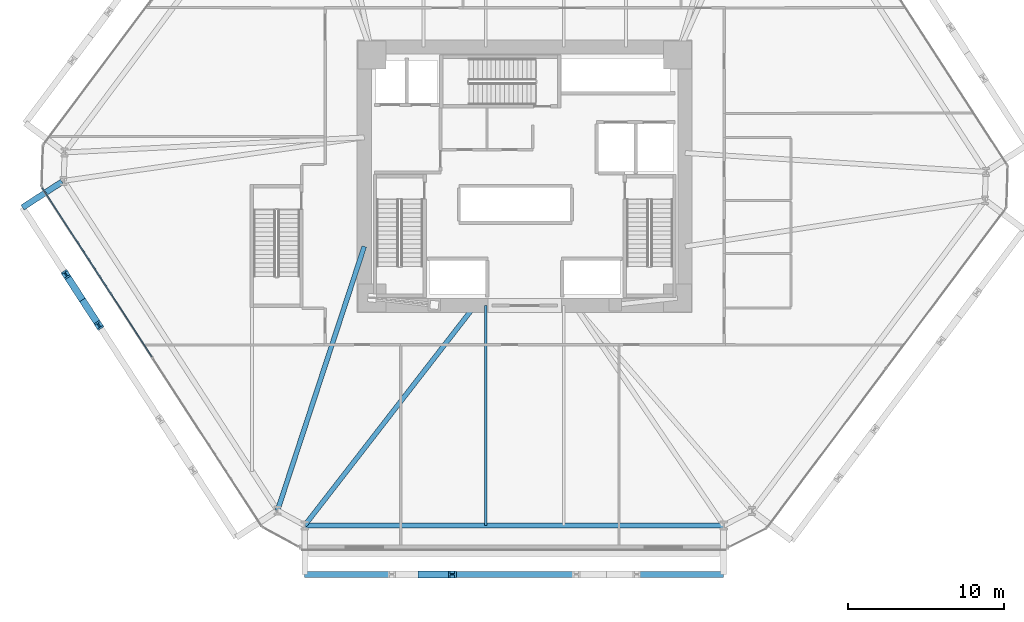
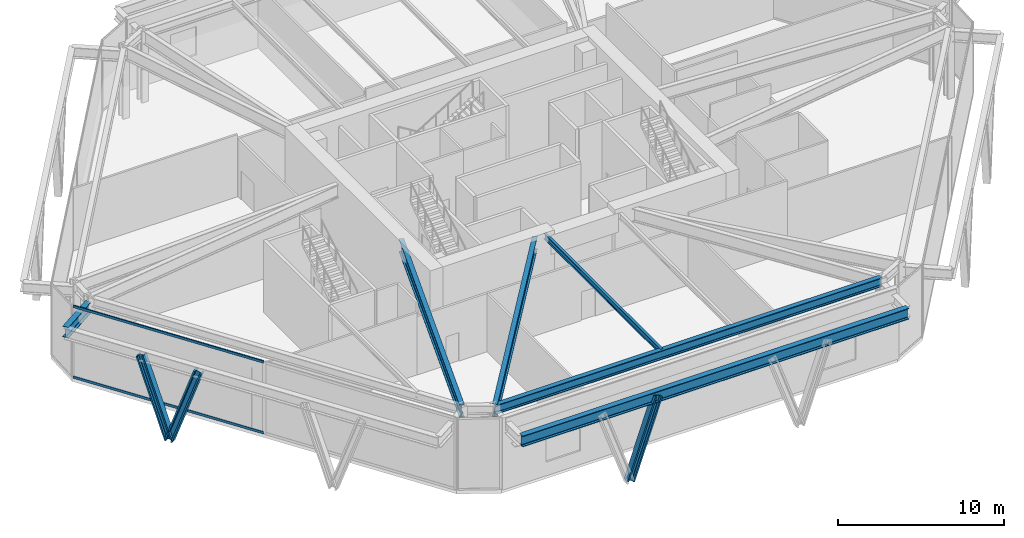
# One storey, part 3 of 19: 6 beams, 5 members, 1 element without a shape of its own.
"""IFC4 building model written with IfcOpenShell, lengths in metres."""

from ifc_helpers import new_model, si_unit, direction, frame, origin, origin_2d, place, context, subcontext, project, spatial, rectangle, i_section, extrude, source, transform, mapped, material, layer, layer_set, material_profile, profile_set, type_object, type_shapes, element, aggregate, save


model = new_model("IFC4")

# Units and contexts
model_context = context("Model", 3, precision=1e-05, world=origin(), true_north=direction((0.0, 1.0)))
body_context = subcontext(model_context, "Body", "Model", "MODEL_VIEW")
ifc_project = project(units=[si_unit("LENGTHUNIT", "METRE"), si_unit("AREAUNIT", "SQUARE_METRE"), si_unit("VOLUMEUNIT", "CUBIC_METRE"), si_unit("PLANEANGLEUNIT", "RADIAN"), si_unit("MASSUNIT", "GRAM", prefix="KILO")], contexts=[model_context])

# Site, building, storey
site_placement = place(None, origin())
site = spatial("IfcSite", under=ifc_project, at=site_placement, CompositionType="ELEMENT")
building_placement = place(site_placement, origin())
building = spatial("IfcBuilding", under=site, at=building_placement, Name="Durnholm Broadcast Tower", CompositionType="ELEMENT")
storey_placement = place(building_placement, frame((0.0, 0.0, 15.60009765625)))
storey = spatial("IfcBuildingStorey", under=building, at=storey_placement, Name="L03", CompositionType="ELEMENT", Elevation=15.60009765625)

# Beams
ifc_material_1 = material(Name="Steel ASTM A992 Grade 50", Category="steel")
ifc_material_profile_1 = material_profile(ifc_material_1, i_section(OverallWidth=0.3330078125, OverallDepth=0.660888671875, WebThickness=0.0244140625, FlangeThickness=0.0439453125, FilletRadius=0.02783203125, at=origin_2d()), Name="W24X229")
ifc_profile_set_1 = profile_set([ifc_material_profile_1], Name="Steel ASTM A992 Grade 50")
beam_type_1 = type_object("IfcBeamType", Name="STL-SP-W24X229", PredefinedType="SPANDREL", material=ifc_profile_set_1)
shared_shape_1 = source(origin(), body_context, "Body", "SweptSolid", [
    extrude(i_section(OverallWidth=0.3330078125, OverallDepth=0.660888671875, WebThickness=0.0244140625, FlangeThickness=0.0439453125, FilletRadius=0.02783203125, at=origin_2d()), origin(), (0.0, 0.0, 1.0), 26.891357421875),
])
type_shapes(beam_type_1, [shared_shape_1])
beam_1_placement = place(storey_placement, frame((12.77197265625, -22.39990234375, 4.934326171875), z_axis=(-1.0, 0.0, 0.0), x_axis=(0.0, -1.0, 0.0)))
element("IfcBeam", 1, at=beam_1_placement, inside=storey, type_object=beam_type_1, Name="L03 perimeter spandrel girder 11", PredefinedType="SPANDREL", context=body_context, shape_type="MappedRepresentation", body=[
    mapped(shared_shape_1, transform((0.0, 0.0, 0.0), x_axis=(1.0, 0.0, 0.0), y_axis=(0.0, 1.0, 0.0), z_axis=(0.0, 0.0, 1.0), scale=1.0)),
])
ifc_material_profile_2 = material_profile(ifc_material_1, i_section(OverallWidth=0.180908203125, OverallDepth=0.417236328125, WebThickness=0.010986328125, FlangeThickness=0.018310546875, FilletRadius=0.01904296875, at=origin_2d()), Name="W16X57")
ifc_profile_set_2 = profile_set([ifc_material_profile_2], Name="Steel ASTM A992 Grade 50")
beam_type_2 = type_object("IfcBeamType", Name="STL-BJ-W16X57", PredefinedType="JOIST", material=ifc_profile_set_2)
shared_shape_2 = source(origin(), body_context, "Body", "SweptSolid", [
    extrude(i_section(OverallWidth=0.180908203125, OverallDepth=0.417236328125, WebThickness=0.010986328125, FlangeThickness=0.018310546875, FilletRadius=0.01904296875, at=origin_2d()), origin(), (0.0, 0.0, 1.0), 14.099853515625),
])
type_shapes(beam_type_2, [shared_shape_2])
beam_2_placement = place(storey_placement, frame((-2.5, -22.39990234375, 5.05615234375), z_axis=(0.0, 1.0, 0.0), x_axis=(-1.0, 0.0, 0.0)))
element("IfcBeam", 2, at=beam_2_placement, inside=storey, type_object=beam_type_2, Name="L03 secondary floor joist 5.1", PredefinedType="JOIST", context=body_context, shape_type="MappedRepresentation", body=[
    mapped(shared_shape_2, transform((0.0, 0.0, 0.0), x_axis=(1.0, 0.0, 0.0), y_axis=(0.0, 1.0, 0.0), z_axis=(0.0, 0.0, 1.0), scale=1.0)),
])
ifc_material_profile_3 = material_profile(ifc_material_1, i_section(OverallWidth=0.385009765625, OverallDepth=0.802978515625, WebThickness=0.023681640625, FlangeThickness=0.0419921875, FilletRadius=0.032958984375, at=origin_2d()), Name="W30X261")
ifc_profile_set_3 = profile_set([ifc_material_profile_3], Name="Steel ASTM A992 Grade 50")
beam_type_3 = type_object("IfcBeamType", Name="BM-EXO-TIE", PredefinedType="USERDEFINED", material=ifc_profile_set_3)
shared_shape_3 = source(origin(), body_context, "Body", "SweptSolid", [
    extrude(i_section(OverallWidth=0.385009765625, OverallDepth=0.802978515625, WebThickness=0.023681640625, FlangeThickness=0.0419921875, FilletRadius=0.032958984375, at=origin_2d()), origin(), (0.0, 0.0, 1.0), 26.891357421875),
])
beam_3_placement = place(storey_placement, frame((-14.119384765625, -25.550048828125, 4.5283203125), z_axis=(1.0, 0.0, 0.0), x_axis=(0.0, 1.0, 0.0)))
element("IfcBeam", 3, at=beam_3_placement, inside=storey, type_object=beam_type_3, Name="L03 exoskeleton collector spandrel F1", PredefinedType="SPANDREL", context=body_context, shape_type="MappedRepresentation", body=[
    mapped(shared_shape_3, transform((0.0, 0.0, 0.0), x_axis=(1.0, 0.0, 0.0), y_axis=(0.0, 1.0, 0.0), z_axis=(0.0, 0.0, 1.0), scale=1.0)),
])
shared_shape_4 = source(origin(), body_context, "Body", "SweptSolid", [
    extrude(i_section(OverallWidth=0.385009765625, OverallDepth=0.802978515625, WebThickness=0.023681640625, FlangeThickness=0.0419921875, FilletRadius=0.032958984375, at=origin_2d()), origin(), (0.0, 0.0, 1.0), 3.02392578125),
])
type_shapes(beam_type_3, [shared_shape_3, shared_shape_4])
beam_4_placement = place(storey_placement, frame((-29.6962890625, -0.357177734375, 4.5283203125), z_axis=(-0.838989179675, -0.544148101521, 0.0), x_axis=(0.544148101521, -0.838989179675, 0.0)))
element("IfcBeam", 4, at=beam_4_placement, inside=storey, type_object=beam_type_3, Name="L03 exoskeleton stand-off tie bracket F6.1", ObjectType="GIRDER", PredefinedType="USERDEFINED", context=body_context, shape_type="MappedRepresentation", body=[
    mapped(shared_shape_4, transform((0.0, 0.0, 0.0), x_axis=(1.0, 0.0, 0.0), y_axis=(0.0, 1.0, 0.0), z_axis=(0.0, 0.0, 1.0), scale=1.0)),
])
ifc_material_profile_4 = material_profile(ifc_material_1, i_section(OverallWidth=0.310302734375, OverallDepth=0.950439453125, WebThickness=0.0244140625, FlangeThickness=0.0439453125, FilletRadius=0.0380859375, at=origin_2d()), Name="W36X256")
ifc_profile_set_4 = profile_set([ifc_material_profile_4], Name="Steel ASTM A992 Grade 50")
beam_type_4 = type_object("IfcBeamType", Name="STL-GR-W36X256", PredefinedType="USERDEFINED", material=ifc_profile_set_4)
shared_shape_5 = source(origin(), body_context, "Body", "SweptSolid", [
    extrude(i_section(OverallWidth=0.310302734375, OverallDepth=0.950439453125, WebThickness=0.0244140625, FlangeThickness=0.0439453125, FilletRadius=0.0380859375, at=origin_2d()), origin(), (0.0, 0.0, 1.0), 17.84130859375),
])
beam_5_placement = place(storey_placement, frame((-10.300048828125, -4.5, 4.78955078125), z_axis=(-0.311996254667, -0.950083331647, 0.0), x_axis=(0.950083331647, -0.311996254667, 0.0)))
element("IfcBeam", 5, at=beam_5_placement, inside=storey, type_object=beam_type_4, Name="L03 radial primary floor girder 01", ObjectType="GIRDER", PredefinedType="USERDEFINED", context=body_context, shape_type="MappedRepresentation", body=[
    mapped(shared_shape_5, transform((0.0, 0.0, 0.0), x_axis=(1.0, 0.0, 0.0), y_axis=(0.0, 1.0, 0.0), z_axis=(0.0, 0.0, 1.0), scale=1.0)),
])
shared_shape_6 = source(origin(), body_context, "Body", "SweptSolid", [
    extrude(i_section(OverallWidth=0.310302734375, OverallDepth=0.950439453125, WebThickness=0.0244140625, FlangeThickness=0.0439453125, FilletRadius=0.0380859375, at=origin_2d()), origin(), (0.0, 0.0, 1.0), 17.833740234375),
])
type_shapes(beam_type_4, [shared_shape_5, shared_shape_6])
beam_6_placement = place(storey_placement, frame((-3.199951171875, -8.300048828125, 4.78955078125), z_axis=(-0.612293019064, -0.790630924519, 0.0), x_axis=(0.790630924519, -0.612293019064, 0.0)))
element("IfcBeam", 6, at=beam_6_placement, inside=storey, type_object=beam_type_4, Name="L03 radial primary floor girder 12", ObjectType="GIRDER", PredefinedType="USERDEFINED", context=body_context, shape_type="MappedRepresentation", body=[
    mapped(shared_shape_6, transform((0.0, 0.0, 0.0), x_axis=(1.0, 0.0, 0.0), y_axis=(0.0, 1.0, 0.0), z_axis=(0.0, 0.0, 1.0), scale=1.0)),
])

# Members
ifc_material_2 = material(Name="Steel ASTM A913 Grade 65", Category="steel")
ifc_material_profile_5 = material_profile(ifc_material_2, i_section(OverallWidth=0.44189453125, OverallDepth=0.531494140625, WebThickness=0.06591796875, FlangeThickness=0.105712890625, FilletRadius=0.030517578125, at=origin_2d()), Name="W14X605")
ifc_profile_set_5 = profile_set([ifc_material_profile_5], Name="Steel ASTM A913 Grade 65")
member_type_1 = type_object("IfcMemberType", Name="STL-DG-W14X605", PredefinedType="BRACE", material=ifc_profile_set_5)
shared_shape_7 = source(origin(), body_context, "Body", "SweptSolid", [
    extrude(i_section(OverallWidth=0.44189453125, OverallDepth=0.531494140625, WebThickness=0.06591796875, FlangeThickness=0.105712890625, FilletRadius=0.030517578125, at=origin_2d()), origin(), (0.0, 0.0, 1.0), 5.927734375),
])
type_shapes(member_type_1, [shared_shape_7])
for number, where, z_axis, x_axis, name in (
    (7, (-6.58984375, -25.550048828125, -1.071533203125), (0.328003010817, 0.0, 0.944676677438), (0.0, 1.0, 0.0), "L03 stand-off diagrid brace F1.D1.2"),
    (8, (-28.390625, -7.927978515625, -1.071533203125), (-0.17845788453, 0.275203227424, 0.944677705392), (-0.839034101522, -0.544078832968, 0.0), "L03 stand-off diagrid brace F6.D1.1"),
    (9, (-28.390625, -7.927978515625, -1.071533203125), (0.178459907135, -0.275165160298, 0.944688412178), (0.838996925284, 0.544136158847, 0.0), "L03 stand-off diagrid brace F6.D1.2"),
):
    element("IfcMember", number, at=place(storey_placement, frame(where, z_axis=z_axis, x_axis=x_axis)), inside=storey, type_object=member_type_1, Name=name, PredefinedType="BRACE", context=body_context, shape_type="MappedRepresentation", body=[
        mapped(shared_shape_7, transform((0.0, 0.0, 0.0), x_axis=(1.0, 0.0, 0.0), y_axis=(0.0, 1.0, 0.0), z_axis=(0.0, 0.0, 1.0), scale=1.0)),
    ])

# Curtain wall, members
ifc_material_3 = material(Name="Aluminium and Solar Control IGU", Category="aluminium")
ifc_layer = layer(ifc_material_3, 0.219970703125)
ifc_layer_set = layer_set([ifc_layer], Name="Aluminium and Solar Control IGU")
curtain_wall_type = type_object("IfcCurtainWallType", Name="CW-SYS-2", PredefinedType="NOTDEFINED", material=ifc_layer_set)
curtain_wall_placement = place(storey_placement, origin())
curtain_wall = element("IfcCurtainWall", 10, at=curtain_wall_placement, inside=storey, type_object=curtain_wall_type, Name="L03 curtain wall CW-STUDIO CW-L03-F12", PredefinedType="NOTDEFINED")
ifc_material_4 = material(Name="Aluminium 6063-T6", Category="aluminium")
ifc_material_profile_6 = material_profile(ifc_material_4, rectangle(XDim=0.074951171875, YDim=0.179931640625, at=origin_2d()), Name="CWT75X180")
ifc_profile_set_6 = profile_set([ifc_material_profile_6], Name="Aluminium 6063-T6")
member_type_2 = type_object("IfcMemberType", Name="CW-SYS-2-TRN", PredefinedType="USERDEFINED", material=ifc_profile_set_6)
shared_shape_8 = source(origin(), body_context, "Body", "SweptSolid", [
    extrude(rectangle(XDim=0.074951171875, YDim=0.179931640625, at=origin_2d()), origin(), (0.0, 0.0, 1.0), 12.896728515625),
])
type_shapes(member_type_2, [shared_shape_8])
member_1_placement = place(storey_placement, frame((-23.9462890625, -11.564697265625, 0.037353515625), z_axis=(-0.544114398501, 0.839011037677, 0.0), x_axis=(-0.839011037677, -0.544114398501, 0.0)))
member_1 = element("IfcMember", 11, at=member_1_placement, type_object=member_type_2, Name="CW-STUDIO transom 2.1", ObjectType="TRANSOM", PredefinedType="USERDEFINED", context=body_context, shape_type="MappedRepresentation", body=[
    mapped(shared_shape_8, transform((0.0, 0.0, 0.0), x_axis=(1.0, 0.0, 0.0), y_axis=(0.0, 1.0, 0.0), z_axis=(0.0, 0.0, 1.0), scale=1.0)),
])
member_2_placement = place(storey_placement, frame((-23.9462890625, -11.564697265625, 5.242431640625), z_axis=(-0.544114398501, 0.839011037677, 0.0), x_axis=(-0.839011037677, -0.544114398501, 0.0)))
member_2 = element("IfcMember", 12, at=member_2_placement, type_object=member_type_2, Name="CW-STUDIO transom 2.2", ObjectType="TRANSOM", PredefinedType="USERDEFINED", context=body_context, shape_type="MappedRepresentation", body=[
    mapped(shared_shape_8, transform((0.0, 0.0, 0.0), x_axis=(1.0, 0.0, 0.0), y_axis=(0.0, 1.0, 0.0), z_axis=(0.0, 0.0, 1.0), scale=1.0)),
])
aggregate(curtain_wall, [member_1, member_2])

save(model, "model.ifc")
